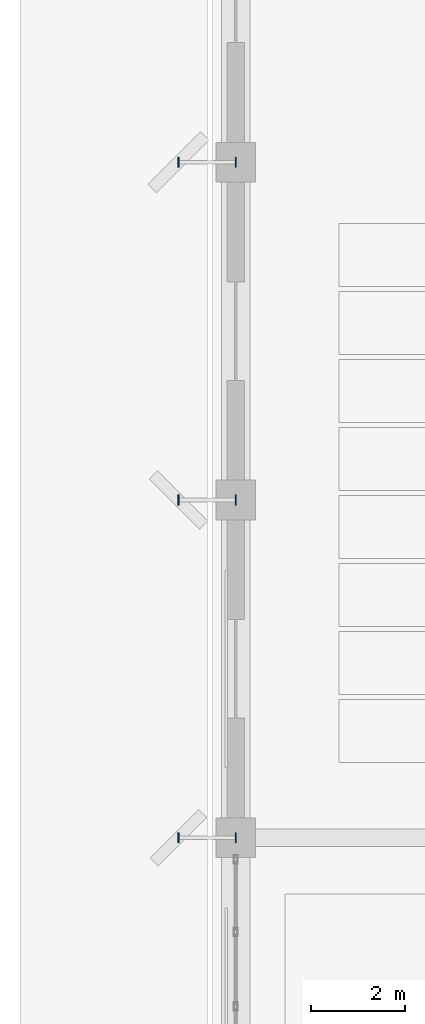
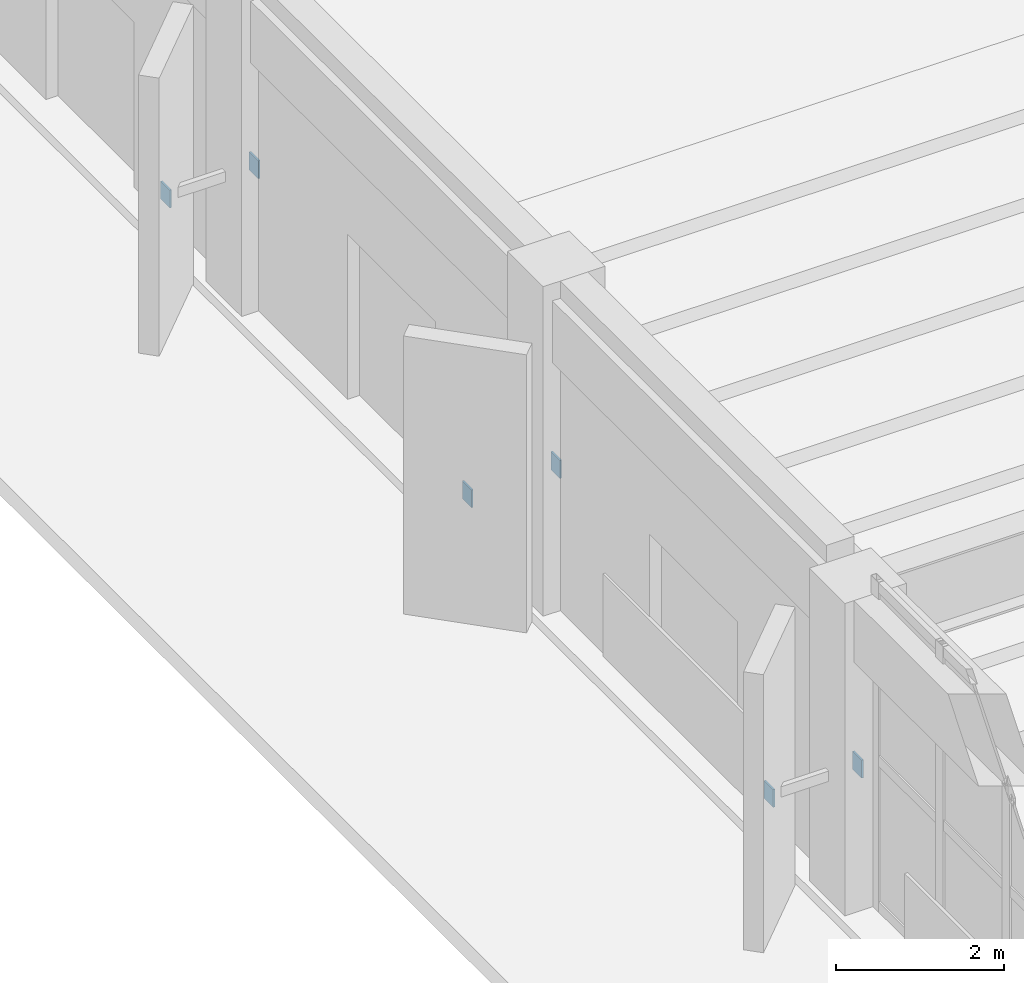
# One storey, part 30 of 39: 6 discrete accessories.
"""IFC4 building model written with IfcOpenShell, lengths in metres."""

from ifc_helpers import new_model, si_unit, direction, frame, origin, origin_2d, place, context, subcontext, project, spatial, rectangle, extrude, material, type_object, element, save


model = new_model("IFC4")

# Units and contexts
model_context = context("Model", 3, precision=1e-05, world=origin(), true_north=direction((0.0, 1.0)))
body_context = subcontext(model_context, "Body", "Model", "MODEL_VIEW")
ifc_project = project(units=[si_unit("LENGTHUNIT", "METRE"), si_unit("AREAUNIT", "SQUARE_METRE"), si_unit("VOLUMEUNIT", "CUBIC_METRE"), si_unit("PLANEANGLEUNIT", "RADIAN"), si_unit("MASSUNIT", "GRAM", prefix="KILO")], contexts=[model_context])

# Site, building, storey
site_placement = place(None, origin())
site = spatial("IfcSite", under=ifc_project, at=site_placement, CompositionType="ELEMENT")
building_placement = place(site_placement, origin())
building = spatial("IfcBuilding", under=site, at=building_placement, Name="Kandorven Conservatory and Botanical Research Centre", CompositionType="ELEMENT")
storey_placement = place(building_placement, origin())
storey = spatial("IfcBuildingStorey", under=building, at=storey_placement, Name="L00", CompositionType="ELEMENT", Elevation=0.0)

# Discrete accessories
ifc_material = material(Name="Steel S355 (IS 2062 E350)", Category="steel")
discrete_accessory_type = type_object("IfcDiscreteAccessoryType", Name="SteelGussetPlate", PredefinedType="BRACKET", material=ifc_material)
for number, where, z_axis, x_axis, name in (
    (1, (6.0, 42.0, 1.669921875), (0.0, 0.0, 1.0), (1.0, 0.0, 0.0), "Welded steel strut end-plate GUS-01 Aud-1A"),
    (2, (4.780029296875, 42.0, 1.669921875), (0.0, 0.0, 1.0), (1.0, 0.0, 0.0), "Welded steel strut end-plate GUS-01 Aud-1B"),
    (3, (6.0, 49.199951171875, 1.669921875), (0.0, 0.0, 1.0), (1.0, 0.0, 0.0), "Welded steel strut end-plate GUS-01 Aud-2A"),
    (4, (4.780029296875, 49.199951171875, 1.669921875), (0.0, 0.0, 1.0), (1.0, 0.0, 0.0), "Welded steel strut end-plate GUS-01 Aud-2B"),
    (5, (6.0, 56.39990234375, 1.669921875), (0.0, 0.0, 1.0), (1.0, 0.0, 0.0), "Welded steel strut end-plate GUS-01 Aud-3A"),
    (6, (4.780029296875, 56.39990234375, 1.669921875), (0.0, 0.0, 1.0), (1.0, 0.0, 0.0), "Welded steel strut end-plate GUS-01 Aud-3B"),
):
    element("IfcDiscreteAccessory", number, at=place(storey_placement, frame(where, z_axis=z_axis, x_axis=x_axis)), inside=storey, type_object=discrete_accessory_type, Name=name, PredefinedType="BRACKET", context=body_context, shape_type="SweptSolid", body=[
        extrude(rectangle(XDim=0.02392578125, YDim=0.219970703125, at=origin_2d()), origin(), (0.0, 0.0, 1.0), 0.260009765625),
    ])

save(model, "model.ifc")
